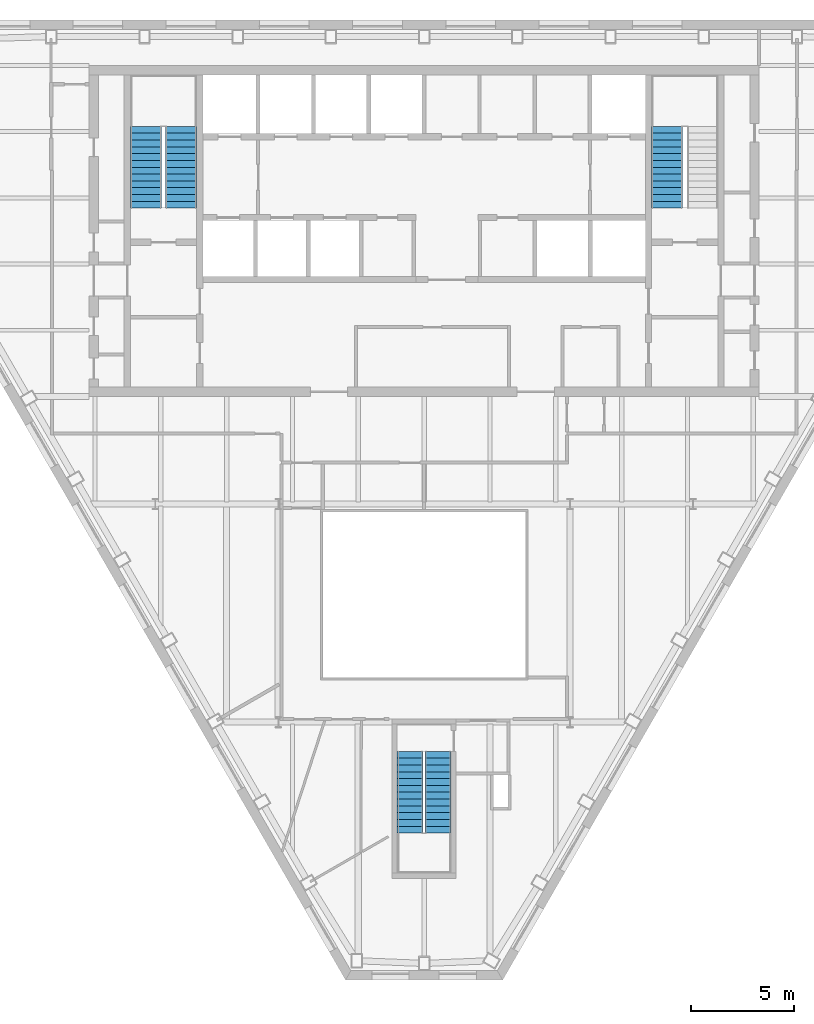
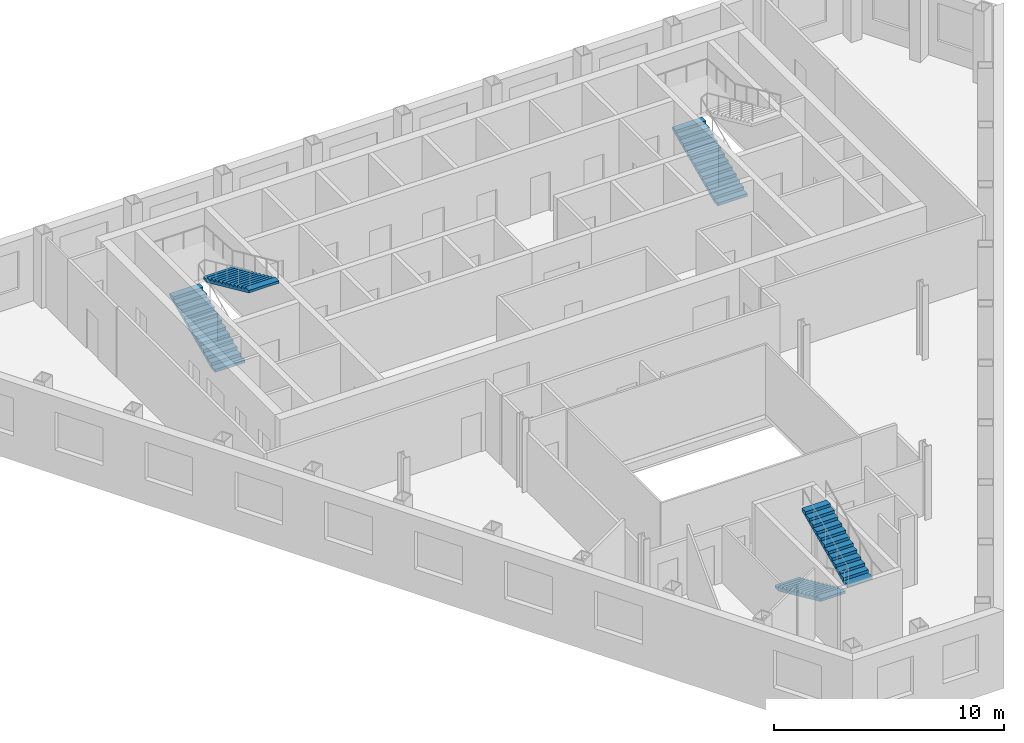
# One storey, part 8 of 10: 5 stair flights, 3 elements without a shape of their own.
"""IFC4 building model written with IfcOpenShell, lengths in metres."""

import ifcopenshell
import ifcopenshell.guid

model = None  # the IFC model being written
_history = None  # IfcOwnerHistory: only IFC2X3 demands one
_inside = {}  # id of a spatial element -> (the spatial element, [elements in it])
_under = {}  # id of a project, library or spatial element -> (it, [spatial elements below it])
_declared = {}  # id of a project -> (the project, [libraries it declares])
_typed = {}  # id of a type object -> (the type object, [elements of that type])
_made_of = {}  # id of a material, layer set ... -> (it, [elements and type objects made of it])


def new_model(schema):
    """Start an empty IFC model of exactly this schema.

    Asked for "IFC4X3", IfcOpenShell would pick the latest addendum, in which some entities
    have other attributes; the version numbers below select the first issue.
    IFC2X3 requires an IfcOwnerHistory on every rooted entity: one is made here for all.
    """
    global model, _history
    if schema == "IFC4X3":
        model = ifcopenshell.file(schema_version=(4, 3, 0, 0))
    else:
        model = ifcopenshell.file(schema=schema)
    _inside.clear()
    _under.clear()
    _declared.clear()
    _typed.clear()
    _made_of.clear()
    _history = None
    if model.schema == "IFC2X3":
        org = make("IfcOrganization", Name="unknown")
        user = make(
            "IfcPersonAndOrganization",
            ThePerson=make("IfcPerson", FamilyName="unknown"),
            TheOrganization=org,
        )
        app = make(
            "IfcApplication",
            ApplicationDeveloper=org,
            Version="unknown",
            ApplicationFullName="unknown",
            ApplicationIdentifier="unknown",
        )
        _history = make(
            "IfcOwnerHistory",
            OwningUser=user,
            OwningApplication=app,
            ChangeAction="ADDED",
            CreationDate=0,
        )
    return model


def make(cls, **values):
    """One entity of the class cls with the attributes given. An attribute that is None is left unset."""
    return model.create_entity(
        cls, **{name: value for name, value in values.items() if value is not None}
    )


def rooted(cls, **values):
    """An entity with a GlobalId (a new one), such as an element, a storey or a relation."""
    return make(cls, GlobalId=ifcopenshell.guid.new(), OwnerHistory=_history, **values)


def si_unit(unit_type, name, prefix=None):
    """IfcSIUnit, for example si_unit("LENGTHUNIT", "METRE", prefix="MILLI")."""
    return make("IfcSIUnit", UnitType=unit_type, Prefix=prefix, Name=name)


def assignment(units):
    """IfcUnitAssignment: the units of a project."""
    return None if units is None else make("IfcUnitAssignment", Units=units)


def point(xyz):
    """IfcCartesianPoint."""
    return None if xyz is None else make("IfcCartesianPoint", Coordinates=xyz)


def direction(xyz):
    """IfcDirection."""
    return None if xyz is None else make("IfcDirection", DirectionRatios=xyz)


def frame(location, z_axis=None, x_axis=None):
    """IfcAxis2Placement3D, a coordinate frame: its origin and axes. An axis left out is left unset."""
    return make(
        "IfcAxis2Placement3D",
        Location=point(location),
        Axis=direction(z_axis),
        RefDirection=direction(x_axis),
    )


def origin():
    """The frame at (0, 0, 0) with its axes left unset."""
    return frame((0.0, 0.0, 0.0))


def place(relative_to, where):
    """IfcLocalPlacement: puts the frame where relative to a parent placement (None: the world)."""
    return make(
        "IfcLocalPlacement", PlacementRelTo=relative_to, RelativePlacement=where
    )


def context(
    kind, dimensions, precision=None, world=None, true_north=None, identifier=None
):
    """IfcGeometricRepresentationContext, for example the 3D "Model" context."""
    return make(
        "IfcGeometricRepresentationContext",
        ContextIdentifier=identifier,
        ContextType=kind,
        CoordinateSpaceDimension=dimensions,
        Precision=precision,
        WorldCoordinateSystem=world,
        TrueNorth=true_north,
    )


def subcontext(parent, identifier, kind, view, scale=None):
    """IfcGeometricRepresentationSubContext, for example "Body" below "Model"."""
    return make(
        "IfcGeometricRepresentationSubContext",
        ContextIdentifier=identifier,
        ContextType=kind,
        ParentContext=parent,
        TargetScale=scale,
        TargetView=view,
    )


def project(units=None, contexts=None):
    """IfcProject with its units and contexts."""
    return rooted(
        "IfcProject",
        Name="project",
        RepresentationContexts=contexts,
        UnitsInContext=assignment(units),
    )


def spatial(cls, under=None, at=None, **own):
    """A site, building, storey or space (cls), placed at a placement, below another one or the project."""
    s = rooted(cls, ObjectPlacement=at, **own)
    if under is not None:
        _under.setdefault(under.id(), (under, []))[1].append(s)
    return s


def point_list(points):
    """IfcCartesianPointList2D or 3D."""
    cls = (
        "IfcCartesianPointList2D" if len(points[0]) == 2 else "IfcCartesianPointList3D"
    )
    return make(cls, CoordList=points)


def polygons(points, faces, closed=None, point_numbers=None):
    """IfcPolygonalFaceSet: a face is its outer loop, then its inner loops; points numbered from 1."""
    made = []
    for loops in faces:
        if len(loops) == 1:
            made.append(make("IfcIndexedPolygonalFace", CoordIndex=loops[0]))
        else:
            made.append(
                make(
                    "IfcIndexedPolygonalFaceWithVoids",
                    CoordIndex=loops[0],
                    InnerCoordIndices=loops[1:],
                )
            )
    return make(
        "IfcPolygonalFaceSet",
        Coordinates=point_list(points),
        Closed=closed,
        Faces=made,
        PnIndex=point_numbers,
    )


def shape(context_of_items, identifier, shape_type, items):
    """IfcShapeRepresentation: the items that make up one representation, for example the "Body"."""
    return make(
        "IfcShapeRepresentation",
        ContextOfItems=context_of_items,
        RepresentationIdentifier=identifier,
        RepresentationType=shape_type,
        Items=items,
    )


def material(Name=None, Category=None):
    """IfcMaterial."""
    return make("IfcMaterial", Name=Name, Category=Category)


def made_of(thing, what):
    """Note that an element or type object is made of a material, layer set ...; save() writes the relation."""
    if what is not None:
        _made_of.setdefault(what.id(), (what, []))[1].append(thing)
    return thing


def type_object(cls, material=None, **own):
    """A type object (cls), such as IfcWallType, which elements share."""
    return made_of(rooted(cls, **own), material)


def element(
    cls,
    number,
    at=None,
    inside=None,
    cuts=None,
    type_object=None,
    material=None,
    context=None,
    identifier="Body",
    shape_type=None,
    held_by="IfcProductDefinitionShape",
    body=None,
    shapes=None,
    **own,
):
    """One element of the class cls, such as IfcWall. Its Tag is "e" and its number.

    at: its placement. inside: the storey or other place that contains it. cuts: it is an
    opening in that element (IfcRelVoidsElement). A single representation is given by context,
    identifier, shape_type and body (its items); several are given by shapes. held_by: the class
    of the entity that holds the representations. save() writes the other relations.
    """
    e = rooted(cls, Tag="e%d" % number, ObjectPlacement=at, **own)
    if body is not None:
        shapes = [shape(context, identifier, shape_type, body)]
    if shapes is not None:
        e.Representation = make(held_by, Representations=shapes)
    if inside is not None:
        _inside.setdefault(inside.id(), (inside, []))[1].append(e)
    if cuts is not None:
        rooted(
            "IfcRelVoidsElement", RelatingBuildingElement=cuts, RelatedOpeningElement=e
        )
    if type_object is not None:
        _typed.setdefault(type_object.id(), (type_object, []))[1].append(e)
    return made_of(e, material)


def aggregate(whole, parts):
    """IfcRelAggregates: a whole, such as a stair, and the parts it consists of."""
    return rooted("IfcRelAggregates", RelatingObject=whole, RelatedObjects=parts)


def save(model, path):
    """Write the relations noted so far, then the file.

    IfcRelAggregates (storeys below a building ...), IfcRelContainedInSpatialStructure (elements
    in a storey), IfcRelDefinesByType, IfcRelAssociatesMaterial and IfcRelDeclares: one each for
    every whole, place, type object, material and project.
    """
    for whole, parts in _under.values():
        aggregate(whole, parts)
    for where, things in _inside.values():
        rooted(
            "IfcRelContainedInSpatialStructure",
            RelatedElements=things,
            RelatingStructure=where,
        )
    for kind, things in _typed.values():
        rooted("IfcRelDefinesByType", RelatedObjects=things, RelatingType=kind)
    for what, things in _made_of.values():
        rooted("IfcRelAssociatesMaterial", RelatedObjects=things, RelatingMaterial=what)
    for by, libraries in _declared.values():
        rooted("IfcRelDeclares", RelatingContext=by, RelatedDefinitions=libraries)
    model.write(path)


model = new_model("IFC4")

# Units and contexts
model_context = context("Model", 3, precision=1e-05, world=origin(), true_north=direction((0.0, 1.0)))
body_context = subcontext(model_context, "Body", "Model", "MODEL_VIEW")
ifc_project = project(units=[si_unit("LENGTHUNIT", "METRE"), si_unit("AREAUNIT", "SQUARE_METRE"), si_unit("VOLUMEUNIT", "CUBIC_METRE"), si_unit("PLANEANGLEUNIT", "RADIAN"), si_unit("MASSUNIT", "GRAM", prefix="KILO")], contexts=[model_context])

# Site, building, storey
site_placement = place(None, origin())
site = spatial("IfcSite", under=ifc_project, at=site_placement, CompositionType="ELEMENT")
building_placement = place(site_placement, origin())
building = spatial("IfcBuilding", under=site, at=building_placement, Name="Njiva Tower", CompositionType="ELEMENT")
storey_placement = place(building_placement, frame((0.0, 0.0, 200.4)))
storey = spatial("IfcBuildingStorey", under=building, at=storey_placement, Name="L44", CompositionType="ELEMENT", Elevation=200.4)

# Stair, stair flights
ifc_material = material(Name="Concrete C40/50", Category="concrete")
stair_type_1 = type_object("IfcStairType", Name="ST1 Exit stair 1250", PredefinedType="HALF_TURN_STAIR", material=ifc_material)
stair_1_placement = place(storey_placement, origin())
stair_1 = element("IfcStair", 1, at=stair_1_placement, inside=storey, type_object=stair_type_1, Name="Stair C", PredefinedType="HALF_TURN_STAIR")
stair_flight_type_1 = type_object("IfcStairFlightType", Name="FL1 Stair flight 1250", PredefinedType="STRAIGHT", material=ifc_material)
stair_flight_1_placement = place(storey_placement, frame((-0.675, -15.16, 0.0), z_axis=(0.0, 0.0, 1.0), x_axis=(0.0, -1.0, 0.0)))
stair_flight_1 = element("IfcStairFlight", 2, at=stair_flight_1_placement, type_object=stair_flight_type_1, Name="ST-C flight 1", NumberOfRisers=13, NumberOfTreads=12, PredefinedType="STRAIGHT", RiserHeight=0.15, TreadLength=0.33, context=body_context, shape_type="Tessellation", body=[
    polygons([(0.0, 0.625, 0.0), (0.0, 0.3125, 0.0), (0.0, 0.0, 0.0), (0.0, -0.3125, 0.0), (0.0, -0.625, 0.0), (0.0, 0.625, 0.15), (0.0, 0.3125, 0.15), (0.0, 0.0, 0.15), (0.0, -0.3125, 0.15), (0.0, -0.625, 0.15), (0.33, 0.625, 0.15), (0.33, 0.3125, 0.15), (0.33, 0.0, 0.15), (0.33, -0.3125, 0.15), (0.33, -0.625, 0.15), (0.33, 0.625, 0.3), (0.33, 0.3125, 0.3), (0.33, 0.0, 0.3), (0.33, -0.3125, 0.3), (0.33, -0.625, 0.3), (0.66, 0.625, 0.3), (0.66, 0.3125, 0.3), (0.66, 0.0, 0.3), (0.66, -0.3125, 0.3), (0.66, -0.625, 0.3), (0.66, 0.625, 0.45), (0.66, 0.3125, 0.45), (0.66, 0.0, 0.45), (0.66, -0.3125, 0.45), (0.66, -0.625, 0.45), (0.99, 0.625, 0.45), (0.99, 0.3125, 0.45), (0.99, 0.0, 0.45), (0.99, -0.3125, 0.45), (0.99, -0.625, 0.45), (0.99, 0.625, 0.6), (0.99, 0.3125, 0.6), (0.99, 0.0, 0.6), (0.99, -0.3125, 0.6), (0.99, -0.625, 0.6), (1.32, 0.625, 0.6), (1.32, 0.3125, 0.6), (1.32, 0.0, 0.6), (1.32, -0.3125, 0.6), (1.32, -0.625, 0.6), (1.32, 0.625, 0.75), (1.32, 0.3125, 0.75), (1.32, 0.0, 0.75), (1.32, -0.3125, 0.75), (1.32, -0.625, 0.75), (1.65, 0.625, 0.75), (1.65, 0.3125, 0.75), (1.65, 0.0, 0.75), (1.65, -0.3125, 0.75), (1.65, -0.625, 0.75), (1.65, 0.625, 0.9), (1.65, 0.3125, 0.9), (1.65, 0.0, 0.9), (1.65, -0.3125, 0.9), (1.65, -0.625, 0.9), (1.98, 0.625, 0.9), (1.98, 0.3125, 0.9), (1.98, 0.0, 0.9), (1.98, -0.3125, 0.9), (1.98, -0.625, 0.9), (1.98, 0.625, 1.05), (1.98, 0.3125, 1.05), (1.98, 0.0, 1.05), (1.98, -0.3125, 1.05), (1.98, -0.625, 1.05), (2.31, 0.625, 1.05), (2.31, 0.3125, 1.05), (2.31, 0.0, 1.05), (2.31, -0.3125, 1.05), (2.31, -0.625, 1.05), (2.31, 0.625, 1.2), (2.31, 0.3125, 1.2), (2.31, 0.0, 1.2), (2.31, -0.3125, 1.2), (2.31, -0.625, 1.2), (2.64, 0.625, 1.2), (2.64, 0.3125, 1.2), (2.64, 0.0, 1.2), (2.64, -0.3125, 1.2), (2.64, -0.625, 1.2), (2.64, 0.625, 1.35), (2.64, 0.3125, 1.35), (2.64, 0.0, 1.35), (2.64, -0.3125, 1.35), (2.64, -0.625, 1.35), (2.97, 0.625, 1.35), (2.97, 0.3125, 1.35), (2.97, 0.0, 1.35), (2.97, -0.3125, 1.35), (2.97, -0.625, 1.35), (2.97, 0.625, 1.5), (2.97, 0.3125, 1.5), (2.97, 0.0, 1.5), (2.97, -0.3125, 1.5), (2.97, -0.625, 1.5), (3.3, 0.625, 1.5), (3.3, 0.3125, 1.5), (3.3, 0.0, 1.5), (3.3, -0.3125, 1.5), (3.3, -0.625, 1.5), (3.3, 0.625, 1.65), (3.3, 0.3125, 1.65), (3.3, 0.0, 1.65), (3.3, -0.3125, 1.65), (3.3, -0.625, 1.65), (3.63, 0.625, 1.65), (3.63, 0.3125, 1.65), (3.63, 0.0, 1.65), (3.63, -0.3125, 1.65), (3.63, -0.625, 1.65), (3.63, 0.625, 1.8), (3.63, 0.3125, 1.8), (3.63, 0.0, 1.8), (3.63, -0.3125, 1.8), (3.63, -0.625, 1.8), (3.96, 0.625, 1.8), (3.96, 0.3125, 1.8), (3.96, 0.0, 1.8), (3.96, -0.3125, 1.8), (3.96, -0.625, 1.8), (3.96, 0.625, 1.6682), (3.96, 0.3125, 1.6682), (3.96, 0.0, 1.6682), (3.96, -0.3125, 1.6682), (3.96, -0.625, 1.6682), (0.29, 0.625, 0.0), (0.29, 0.3125, 0.0), (0.29, 0.0, 0.0), (0.29, -0.3125, 0.0), (0.29, -0.625, 0.0)], [[[1, 6, 11, 16, 21, 26, 31, 36, 41, 46, 51, 56, 61, 66, 71, 76, 81, 86, 91, 96, 101, 106, 111, 116, 121, 126, 131]], [[135, 130, 125, 120, 115, 110, 105, 100, 95, 90, 85, 80, 75, 70, 65, 60, 55, 50, 45, 40, 35, 30, 25, 20, 15, 10, 5]], [[6, 1, 2, 7]], [[7, 2, 3, 8]], [[8, 3, 4, 9]], [[9, 4, 5, 10]], [[11, 6, 7, 12]], [[12, 7, 8, 13]], [[13, 8, 9, 14]], [[14, 9, 10, 15]], [[16, 11, 12, 17]], [[17, 12, 13, 18]], [[18, 13, 14, 19]], [[19, 14, 15, 20]], [[21, 16, 17, 22]], [[22, 17, 18, 23]], [[23, 18, 19, 24]], [[24, 19, 20, 25]], [[26, 21, 22, 27]], [[27, 22, 23, 28]], [[28, 23, 24, 29]], [[29, 24, 25, 30]], [[31, 26, 27, 32]], [[32, 27, 28, 33]], [[33, 28, 29, 34]], [[34, 29, 30, 35]], [[36, 31, 32, 37]], [[37, 32, 33, 38]], [[38, 33, 34, 39]], [[39, 34, 35, 40]], [[41, 36, 37, 42]], [[42, 37, 38, 43]], [[43, 38, 39, 44]], [[44, 39, 40, 45]], [[46, 41, 42, 47]], [[47, 42, 43, 48]], [[48, 43, 44, 49]], [[49, 44, 45, 50]], [[51, 46, 47, 52]], [[52, 47, 48, 53]], [[53, 48, 49, 54]], [[54, 49, 50, 55]], [[56, 51, 52, 57]], [[57, 52, 53, 58]], [[58, 53, 54, 59]], [[59, 54, 55, 60]], [[61, 56, 57, 62]], [[62, 57, 58, 63]], [[63, 58, 59, 64]], [[64, 59, 60, 65]], [[66, 61, 62, 67]], [[67, 62, 63, 68]], [[68, 63, 64, 69]], [[69, 64, 65, 70]], [[71, 66, 67, 72]], [[72, 67, 68, 73]], [[73, 68, 69, 74]], [[74, 69, 70, 75]], [[76, 71, 72, 77]], [[77, 72, 73, 78]], [[78, 73, 74, 79]], [[79, 74, 75, 80]], [[81, 76, 77, 82]], [[82, 77, 78, 83]], [[83, 78, 79, 84]], [[84, 79, 80, 85]], [[86, 81, 82, 87]], [[87, 82, 83, 88]], [[88, 83, 84, 89]], [[89, 84, 85, 90]], [[91, 86, 87, 92]], [[92, 87, 88, 93]], [[93, 88, 89, 94]], [[94, 89, 90, 95]], [[96, 91, 92, 97]], [[97, 92, 93, 98]], [[98, 93, 94, 99]], [[99, 94, 95, 100]], [[101, 96, 97, 102]], [[102, 97, 98, 103]], [[103, 98, 99, 104]], [[104, 99, 100, 105]], [[106, 101, 102, 107]], [[107, 102, 103, 108]], [[108, 103, 104, 109]], [[109, 104, 105, 110]], [[111, 106, 107, 112]], [[112, 107, 108, 113]], [[113, 108, 109, 114]], [[114, 109, 110, 115]], [[116, 111, 112, 117]], [[117, 112, 113, 118]], [[118, 113, 114, 119]], [[119, 114, 115, 120]], [[121, 116, 117, 122]], [[122, 117, 118, 123]], [[123, 118, 119, 124]], [[124, 119, 120, 125]], [[126, 121, 122, 127]], [[127, 122, 123, 128]], [[128, 123, 124, 129]], [[129, 124, 125, 130]], [[131, 126, 127, 132]], [[132, 127, 128, 133]], [[133, 128, 129, 134]], [[134, 129, 130, 135]], [[1, 131, 132, 2]], [[2, 132, 133, 3]], [[3, 133, 134, 4]], [[4, 134, 135, 5]]], closed=True),
])
stair_flight_2_placement = place(storey_placement, frame((0.675, -19.12, 1.95), z_axis=(0.0, 0.0, 1.0), x_axis=(0.0, 1.0, 0.0)))
stair_flight_2 = element("IfcStairFlight", 3, at=stair_flight_2_placement, type_object=stair_flight_type_1, Name="ST-C flight 2", NumberOfRisers=13, NumberOfTreads=12, PredefinedType="STRAIGHT", RiserHeight=0.15, TreadLength=0.33, context=body_context, shape_type="Tessellation", body=[
    polygons([(0.0, 0.625, 0.0), (0.0, 0.3125, 0.0), (0.0, 0.0, 0.0), (0.0, -0.3125, 0.0), (0.0, -0.625, 0.0), (0.0, 0.625, 0.15), (0.0, 0.3125, 0.15), (0.0, 0.0, 0.15), (0.0, -0.3125, 0.15), (0.0, -0.625, 0.15), (0.33, 0.625, 0.15), (0.33, 0.3125, 0.15), (0.33, 0.0, 0.15), (0.33, -0.3125, 0.15), (0.33, -0.625, 0.15), (0.33, 0.625, 0.3), (0.33, 0.3125, 0.3), (0.33, 0.0, 0.3), (0.33, -0.3125, 0.3), (0.33, -0.625, 0.3), (0.66, 0.625, 0.3), (0.66, 0.3125, 0.3), (0.66, 0.0, 0.3), (0.66, -0.3125, 0.3), (0.66, -0.625, 0.3), (0.66, 0.625, 0.45), (0.66, 0.3125, 0.45), (0.66, 0.0, 0.45), (0.66, -0.3125, 0.45), (0.66, -0.625, 0.45), (0.99, 0.625, 0.45), (0.99, 0.3125, 0.45), (0.99, 0.0, 0.45), (0.99, -0.3125, 0.45), (0.99, -0.625, 0.45), (0.99, 0.625, 0.6), (0.99, 0.3125, 0.6), (0.99, 0.0, 0.6), (0.99, -0.3125, 0.6), (0.99, -0.625, 0.6), (1.32, 0.625, 0.6), (1.32, 0.3125, 0.6), (1.32, 0.0, 0.6), (1.32, -0.3125, 0.6), (1.32, -0.625, 0.6), (1.32, 0.625, 0.75), (1.32, 0.3125, 0.75), (1.32, 0.0, 0.75), (1.32, -0.3125, 0.75), (1.32, -0.625, 0.75), (1.65, 0.625, 0.75), (1.65, 0.3125, 0.75), (1.65, 0.0, 0.75), (1.65, -0.3125, 0.75), (1.65, -0.625, 0.75), (1.65, 0.625, 0.9), (1.65, 0.3125, 0.9), (1.65, 0.0, 0.9), (1.65, -0.3125, 0.9), (1.65, -0.625, 0.9), (1.98, 0.625, 0.9), (1.98, 0.3125, 0.9), (1.98, 0.0, 0.9), (1.98, -0.3125, 0.9), (1.98, -0.625, 0.9), (1.98, 0.625, 1.05), (1.98, 0.3125, 1.05), (1.98, 0.0, 1.05), (1.98, -0.3125, 1.05), (1.98, -0.625, 1.05), (2.31, 0.625, 1.05), (2.31, 0.3125, 1.05), (2.31, 0.0, 1.05), (2.31, -0.3125, 1.05), (2.31, -0.625, 1.05), (2.31, 0.625, 1.2), (2.31, 0.3125, 1.2), (2.31, 0.0, 1.2), (2.31, -0.3125, 1.2), (2.31, -0.625, 1.2), (2.64, 0.625, 1.2), (2.64, 0.3125, 1.2), (2.64, 0.0, 1.2), (2.64, -0.3125, 1.2), (2.64, -0.625, 1.2), (2.64, 0.625, 1.35), (2.64, 0.3125, 1.35), (2.64, 0.0, 1.35), (2.64, -0.3125, 1.35), (2.64, -0.625, 1.35), (2.97, 0.625, 1.35), (2.97, 0.3125, 1.35), (2.97, 0.0, 1.35), (2.97, -0.3125, 1.35), (2.97, -0.625, 1.35), (2.97, 0.625, 1.5), (2.97, 0.3125, 1.5), (2.97, 0.0, 1.5), (2.97, -0.3125, 1.5), (2.97, -0.625, 1.5), (3.3, 0.625, 1.5), (3.3, 0.3125, 1.5), (3.3, 0.0, 1.5), (3.3, -0.3125, 1.5), (3.3, -0.625, 1.5), (3.3, 0.625, 1.65), (3.3, 0.3125, 1.65), (3.3, 0.0, 1.65), (3.3, -0.3125, 1.65), (3.3, -0.625, 1.65), (3.63, 0.625, 1.65), (3.63, 0.3125, 1.65), (3.63, 0.0, 1.65), (3.63, -0.3125, 1.65), (3.63, -0.625, 1.65), (3.63, 0.625, 1.8), (3.63, 0.3125, 1.8), (3.63, 0.0, 1.8), (3.63, -0.3125, 1.8), (3.63, -0.625, 1.8), (3.96, 0.625, 1.8), (3.96, 0.3125, 1.8), (3.96, 0.0, 1.8), (3.96, -0.3125, 1.8), (3.96, -0.625, 1.8), (3.96, 0.625, 1.6682), (3.96, 0.3125, 1.6682), (3.96, 0.0, 1.6682), (3.96, -0.3125, 1.6682), (3.96, -0.625, 1.6682), (0.29, 0.625, 0.0), (0.29, 0.3125, 0.0), (0.29, 0.0, 0.0), (0.29, -0.3125, 0.0), (0.29, -0.625, 0.0)], [[[1, 6, 11, 16, 21, 26, 31, 36, 41, 46, 51, 56, 61, 66, 71, 76, 81, 86, 91, 96, 101, 106, 111, 116, 121, 126, 131]], [[135, 130, 125, 120, 115, 110, 105, 100, 95, 90, 85, 80, 75, 70, 65, 60, 55, 50, 45, 40, 35, 30, 25, 20, 15, 10, 5]], [[6, 1, 2, 7]], [[7, 2, 3, 8]], [[8, 3, 4, 9]], [[9, 4, 5, 10]], [[11, 6, 7, 12]], [[12, 7, 8, 13]], [[13, 8, 9, 14]], [[14, 9, 10, 15]], [[16, 11, 12, 17]], [[17, 12, 13, 18]], [[18, 13, 14, 19]], [[19, 14, 15, 20]], [[21, 16, 17, 22]], [[22, 17, 18, 23]], [[23, 18, 19, 24]], [[24, 19, 20, 25]], [[26, 21, 22, 27]], [[27, 22, 23, 28]], [[28, 23, 24, 29]], [[29, 24, 25, 30]], [[31, 26, 27, 32]], [[32, 27, 28, 33]], [[33, 28, 29, 34]], [[34, 29, 30, 35]], [[36, 31, 32, 37]], [[37, 32, 33, 38]], [[38, 33, 34, 39]], [[39, 34, 35, 40]], [[41, 36, 37, 42]], [[42, 37, 38, 43]], [[43, 38, 39, 44]], [[44, 39, 40, 45]], [[46, 41, 42, 47]], [[47, 42, 43, 48]], [[48, 43, 44, 49]], [[49, 44, 45, 50]], [[51, 46, 47, 52]], [[52, 47, 48, 53]], [[53, 48, 49, 54]], [[54, 49, 50, 55]], [[56, 51, 52, 57]], [[57, 52, 53, 58]], [[58, 53, 54, 59]], [[59, 54, 55, 60]], [[61, 56, 57, 62]], [[62, 57, 58, 63]], [[63, 58, 59, 64]], [[64, 59, 60, 65]], [[66, 61, 62, 67]], [[67, 62, 63, 68]], [[68, 63, 64, 69]], [[69, 64, 65, 70]], [[71, 66, 67, 72]], [[72, 67, 68, 73]], [[73, 68, 69, 74]], [[74, 69, 70, 75]], [[76, 71, 72, 77]], [[77, 72, 73, 78]], [[78, 73, 74, 79]], [[79, 74, 75, 80]], [[81, 76, 77, 82]], [[82, 77, 78, 83]], [[83, 78, 79, 84]], [[84, 79, 80, 85]], [[86, 81, 82, 87]], [[87, 82, 83, 88]], [[88, 83, 84, 89]], [[89, 84, 85, 90]], [[91, 86, 87, 92]], [[92, 87, 88, 93]], [[93, 88, 89, 94]], [[94, 89, 90, 95]], [[96, 91, 92, 97]], [[97, 92, 93, 98]], [[98, 93, 94, 99]], [[99, 94, 95, 100]], [[101, 96, 97, 102]], [[102, 97, 98, 103]], [[103, 98, 99, 104]], [[104, 99, 100, 105]], [[106, 101, 102, 107]], [[107, 102, 103, 108]], [[108, 103, 104, 109]], [[109, 104, 105, 110]], [[111, 106, 107, 112]], [[112, 107, 108, 113]], [[113, 108, 109, 114]], [[114, 109, 110, 115]], [[116, 111, 112, 117]], [[117, 112, 113, 118]], [[118, 113, 114, 119]], [[119, 114, 115, 120]], [[121, 116, 117, 122]], [[122, 117, 118, 123]], [[123, 118, 119, 124]], [[124, 119, 120, 125]], [[126, 121, 122, 127]], [[127, 122, 123, 128]], [[128, 123, 124, 129]], [[129, 124, 125, 130]], [[131, 126, 127, 132]], [[132, 127, 128, 133]], [[133, 128, 129, 134]], [[134, 129, 130, 135]], [[1, 131, 132, 2]], [[2, 132, 133, 3]], [[3, 133, 134, 4]], [[4, 134, 135, 5]]], closed=True),
])
aggregate(stair_1, [stair_flight_1, stair_flight_2])

stair_type_2 = type_object("IfcStairType", Name="ST4 Exit stair 1500", PredefinedType="HALF_TURN_STAIR", material=ifc_material)
stair_2_placement = place(storey_placement, origin())
stair_2 = element("IfcStair", 4, at=stair_2_placement, inside=storey, type_object=stair_type_2, Name="Stair A", PredefinedType="HALF_TURN_STAIR")
stair_flight_type_2 = type_object("IfcStairFlightType", Name="FL4 Stair flight 1500", PredefinedType="STRAIGHT", material=ifc_material)
stair_flight_3_placement = place(storey_placement, frame((-13.45, 11.1, 0.0), z_axis=(0.0, 0.0, 1.0), x_axis=(0.0, 1.0, 0.0)))
stair_flight_3 = element("IfcStairFlight", 5, at=stair_flight_3_placement, type_object=stair_flight_type_2, Name="ST-A flight 1", NumberOfRisers=13, NumberOfTreads=12, PredefinedType="STRAIGHT", RiserHeight=0.15, TreadLength=0.33, context=body_context, shape_type="Tessellation", body=[
    polygons([(0.0, 0.75, 0.0), (0.0, 0.375, 0.0), (0.0, 0.0, 0.0), (0.0, -0.375, 0.0), (0.0, -0.75, 0.0), (0.0, 0.75, 0.15), (0.0, 0.375, 0.15), (0.0, 0.0, 0.15), (0.0, -0.375, 0.15), (0.0, -0.75, 0.15), (0.33, 0.75, 0.15), (0.33, 0.375, 0.15), (0.33, 0.0, 0.15), (0.33, -0.375, 0.15), (0.33, -0.75, 0.15), (0.33, 0.75, 0.3), (0.33, 0.375, 0.3), (0.33, 0.0, 0.3), (0.33, -0.375, 0.3), (0.33, -0.75, 0.3), (0.66, 0.75, 0.3), (0.66, 0.375, 0.3), (0.66, 0.0, 0.3), (0.66, -0.375, 0.3), (0.66, -0.75, 0.3), (0.66, 0.75, 0.45), (0.66, 0.375, 0.45), (0.66, 0.0, 0.45), (0.66, -0.375, 0.45), (0.66, -0.75, 0.45), (0.99, 0.75, 0.45), (0.99, 0.375, 0.45), (0.99, 0.0, 0.45), (0.99, -0.375, 0.45), (0.99, -0.75, 0.45), (0.99, 0.75, 0.6), (0.99, 0.375, 0.6), (0.99, 0.0, 0.6), (0.99, -0.375, 0.6), (0.99, -0.75, 0.6), (1.32, 0.75, 0.6), (1.32, 0.375, 0.6), (1.32, 0.0, 0.6), (1.32, -0.375, 0.6), (1.32, -0.75, 0.6), (1.32, 0.75, 0.75), (1.32, 0.375, 0.75), (1.32, 0.0, 0.75), (1.32, -0.375, 0.75), (1.32, -0.75, 0.75), (1.65, 0.75, 0.75), (1.65, 0.375, 0.75), (1.65, 0.0, 0.75), (1.65, -0.375, 0.75), (1.65, -0.75, 0.75), (1.65, 0.75, 0.9), (1.65, 0.375, 0.9), (1.65, 0.0, 0.9), (1.65, -0.375, 0.9), (1.65, -0.75, 0.9), (1.98, 0.75, 0.9), (1.98, 0.375, 0.9), (1.98, 0.0, 0.9), (1.98, -0.375, 0.9), (1.98, -0.75, 0.9), (1.98, 0.75, 1.05), (1.98, 0.375, 1.05), (1.98, 0.0, 1.05), (1.98, -0.375, 1.05), (1.98, -0.75, 1.05), (2.31, 0.75, 1.05), (2.31, 0.375, 1.05), (2.31, 0.0, 1.05), (2.31, -0.375, 1.05), (2.31, -0.75, 1.05), (2.31, 0.75, 1.2), (2.31, 0.375, 1.2), (2.31, 0.0, 1.2), (2.31, -0.375, 1.2), (2.31, -0.75, 1.2), (2.64, 0.75, 1.2), (2.64, 0.375, 1.2), (2.64, 0.0, 1.2), (2.64, -0.375, 1.2), (2.64, -0.75, 1.2), (2.64, 0.75, 1.35), (2.64, 0.375, 1.35), (2.64, 0.0, 1.35), (2.64, -0.375, 1.35), (2.64, -0.75, 1.35), (2.97, 0.75, 1.35), (2.97, 0.375, 1.35), (2.97, 0.0, 1.35), (2.97, -0.375, 1.35), (2.97, -0.75, 1.35), (2.97, 0.75, 1.5), (2.97, 0.375, 1.5), (2.97, 0.0, 1.5), (2.97, -0.375, 1.5), (2.97, -0.75, 1.5), (3.3, 0.75, 1.5), (3.3, 0.375, 1.5), (3.3, 0.0, 1.5), (3.3, -0.375, 1.5), (3.3, -0.75, 1.5), (3.3, 0.75, 1.65), (3.3, 0.375, 1.65), (3.3, 0.0, 1.65), (3.3, -0.375, 1.65), (3.3, -0.75, 1.65), (3.63, 0.75, 1.65), (3.63, 0.375, 1.65), (3.63, 0.0, 1.65), (3.63, -0.375, 1.65), (3.63, -0.75, 1.65), (3.63, 0.75, 1.8), (3.63, 0.375, 1.8), (3.63, 0.0, 1.8), (3.63, -0.375, 1.8), (3.63, -0.75, 1.8), (3.96, 0.75, 1.8), (3.96, 0.375, 1.8), (3.96, 0.0, 1.8), (3.96, -0.375, 1.8), (3.96, -0.75, 1.8), (3.96, 0.75, 1.6682), (3.96, 0.375, 1.6682), (3.96, 0.0, 1.6682), (3.96, -0.375, 1.6682), (3.96, -0.75, 1.6682), (0.29, 0.75, 0.0), (0.29, 0.375, 0.0), (0.29, 0.0, 0.0), (0.29, -0.375, 0.0), (0.29, -0.75, 0.0)], [[[1, 6, 11, 16, 21, 26, 31, 36, 41, 46, 51, 56, 61, 66, 71, 76, 81, 86, 91, 96, 101, 106, 111, 116, 121, 126, 131]], [[135, 130, 125, 120, 115, 110, 105, 100, 95, 90, 85, 80, 75, 70, 65, 60, 55, 50, 45, 40, 35, 30, 25, 20, 15, 10, 5]], [[6, 1, 2, 7]], [[7, 2, 3, 8]], [[8, 3, 4, 9]], [[9, 4, 5, 10]], [[11, 6, 7, 12]], [[12, 7, 8, 13]], [[13, 8, 9, 14]], [[14, 9, 10, 15]], [[16, 11, 12, 17]], [[17, 12, 13, 18]], [[18, 13, 14, 19]], [[19, 14, 15, 20]], [[21, 16, 17, 22]], [[22, 17, 18, 23]], [[23, 18, 19, 24]], [[24, 19, 20, 25]], [[26, 21, 22, 27]], [[27, 22, 23, 28]], [[28, 23, 24, 29]], [[29, 24, 25, 30]], [[31, 26, 27, 32]], [[32, 27, 28, 33]], [[33, 28, 29, 34]], [[34, 29, 30, 35]], [[36, 31, 32, 37]], [[37, 32, 33, 38]], [[38, 33, 34, 39]], [[39, 34, 35, 40]], [[41, 36, 37, 42]], [[42, 37, 38, 43]], [[43, 38, 39, 44]], [[44, 39, 40, 45]], [[46, 41, 42, 47]], [[47, 42, 43, 48]], [[48, 43, 44, 49]], [[49, 44, 45, 50]], [[51, 46, 47, 52]], [[52, 47, 48, 53]], [[53, 48, 49, 54]], [[54, 49, 50, 55]], [[56, 51, 52, 57]], [[57, 52, 53, 58]], [[58, 53, 54, 59]], [[59, 54, 55, 60]], [[61, 56, 57, 62]], [[62, 57, 58, 63]], [[63, 58, 59, 64]], [[64, 59, 60, 65]], [[66, 61, 62, 67]], [[67, 62, 63, 68]], [[68, 63, 64, 69]], [[69, 64, 65, 70]], [[71, 66, 67, 72]], [[72, 67, 68, 73]], [[73, 68, 69, 74]], [[74, 69, 70, 75]], [[76, 71, 72, 77]], [[77, 72, 73, 78]], [[78, 73, 74, 79]], [[79, 74, 75, 80]], [[81, 76, 77, 82]], [[82, 77, 78, 83]], [[83, 78, 79, 84]], [[84, 79, 80, 85]], [[86, 81, 82, 87]], [[87, 82, 83, 88]], [[88, 83, 84, 89]], [[89, 84, 85, 90]], [[91, 86, 87, 92]], [[92, 87, 88, 93]], [[93, 88, 89, 94]], [[94, 89, 90, 95]], [[96, 91, 92, 97]], [[97, 92, 93, 98]], [[98, 93, 94, 99]], [[99, 94, 95, 100]], [[101, 96, 97, 102]], [[102, 97, 98, 103]], [[103, 98, 99, 104]], [[104, 99, 100, 105]], [[106, 101, 102, 107]], [[107, 102, 103, 108]], [[108, 103, 104, 109]], [[109, 104, 105, 110]], [[111, 106, 107, 112]], [[112, 107, 108, 113]], [[113, 108, 109, 114]], [[114, 109, 110, 115]], [[116, 111, 112, 117]], [[117, 112, 113, 118]], [[118, 113, 114, 119]], [[119, 114, 115, 120]], [[121, 116, 117, 122]], [[122, 117, 118, 123]], [[123, 118, 119, 124]], [[124, 119, 120, 125]], [[126, 121, 122, 127]], [[127, 122, 123, 128]], [[128, 123, 124, 129]], [[129, 124, 125, 130]], [[131, 126, 127, 132]], [[132, 127, 128, 133]], [[133, 128, 129, 134]], [[134, 129, 130, 135]], [[1, 131, 132, 2]], [[2, 132, 133, 3]], [[3, 133, 134, 4]], [[4, 134, 135, 5]]], closed=True),
])
stair_flight_4_placement = place(storey_placement, frame((-11.75, 15.06, 1.95), z_axis=(0.0, 0.0, 1.0), x_axis=(0.0, -1.0, 0.0)))
stair_flight_4 = element("IfcStairFlight", 6, at=stair_flight_4_placement, type_object=stair_flight_type_2, Name="ST-A flight 2", NumberOfRisers=13, NumberOfTreads=12, PredefinedType="STRAIGHT", RiserHeight=0.15, TreadLength=0.33, context=body_context, shape_type="Tessellation", body=[
    polygons([(0.0, 0.75, 0.0), (0.0, 0.375, 0.0), (0.0, 0.0, 0.0), (0.0, -0.375, 0.0), (0.0, -0.75, 0.0), (0.0, 0.75, 0.15), (0.0, 0.375, 0.15), (0.0, 0.0, 0.15), (0.0, -0.375, 0.15), (0.0, -0.75, 0.15), (0.33, 0.75, 0.15), (0.33, 0.375, 0.15), (0.33, 0.0, 0.15), (0.33, -0.375, 0.15), (0.33, -0.75, 0.15), (0.33, 0.75, 0.3), (0.33, 0.375, 0.3), (0.33, 0.0, 0.3), (0.33, -0.375, 0.3), (0.33, -0.75, 0.3), (0.66, 0.75, 0.3), (0.66, 0.375, 0.3), (0.66, 0.0, 0.3), (0.66, -0.375, 0.3), (0.66, -0.75, 0.3), (0.66, 0.75, 0.45), (0.66, 0.375, 0.45), (0.66, 0.0, 0.45), (0.66, -0.375, 0.45), (0.66, -0.75, 0.45), (0.99, 0.75, 0.45), (0.99, 0.375, 0.45), (0.99, 0.0, 0.45), (0.99, -0.375, 0.45), (0.99, -0.75, 0.45), (0.99, 0.75, 0.6), (0.99, 0.375, 0.6), (0.99, 0.0, 0.6), (0.99, -0.375, 0.6), (0.99, -0.75, 0.6), (1.32, 0.75, 0.6), (1.32, 0.375, 0.6), (1.32, 0.0, 0.6), (1.32, -0.375, 0.6), (1.32, -0.75, 0.6), (1.32, 0.75, 0.75), (1.32, 0.375, 0.75), (1.32, 0.0, 0.75), (1.32, -0.375, 0.75), (1.32, -0.75, 0.75), (1.65, 0.75, 0.75), (1.65, 0.375, 0.75), (1.65, 0.0, 0.75), (1.65, -0.375, 0.75), (1.65, -0.75, 0.75), (1.65, 0.75, 0.9), (1.65, 0.375, 0.9), (1.65, 0.0, 0.9), (1.65, -0.375, 0.9), (1.65, -0.75, 0.9), (1.98, 0.75, 0.9), (1.98, 0.375, 0.9), (1.98, 0.0, 0.9), (1.98, -0.375, 0.9), (1.98, -0.75, 0.9), (1.98, 0.75, 1.05), (1.98, 0.375, 1.05), (1.98, 0.0, 1.05), (1.98, -0.375, 1.05), (1.98, -0.75, 1.05), (2.31, 0.75, 1.05), (2.31, 0.375, 1.05), (2.31, 0.0, 1.05), (2.31, -0.375, 1.05), (2.31, -0.75, 1.05), (2.31, 0.75, 1.2), (2.31, 0.375, 1.2), (2.31, 0.0, 1.2), (2.31, -0.375, 1.2), (2.31, -0.75, 1.2), (2.64, 0.75, 1.2), (2.64, 0.375, 1.2), (2.64, 0.0, 1.2), (2.64, -0.375, 1.2), (2.64, -0.75, 1.2), (2.64, 0.75, 1.35), (2.64, 0.375, 1.35), (2.64, 0.0, 1.35), (2.64, -0.375, 1.35), (2.64, -0.75, 1.35), (2.97, 0.75, 1.35), (2.97, 0.375, 1.35), (2.97, 0.0, 1.35), (2.97, -0.375, 1.35), (2.97, -0.75, 1.35), (2.97, 0.75, 1.5), (2.97, 0.375, 1.5), (2.97, 0.0, 1.5), (2.97, -0.375, 1.5), (2.97, -0.75, 1.5), (3.3, 0.75, 1.5), (3.3, 0.375, 1.5), (3.3, 0.0, 1.5), (3.3, -0.375, 1.5), (3.3, -0.75, 1.5), (3.3, 0.75, 1.65), (3.3, 0.375, 1.65), (3.3, 0.0, 1.65), (3.3, -0.375, 1.65), (3.3, -0.75, 1.65), (3.63, 0.75, 1.65), (3.63, 0.375, 1.65), (3.63, 0.0, 1.65), (3.63, -0.375, 1.65), (3.63, -0.75, 1.65), (3.63, 0.75, 1.8), (3.63, 0.375, 1.8), (3.63, 0.0, 1.8), (3.63, -0.375, 1.8), (3.63, -0.75, 1.8), (3.96, 0.75, 1.8), (3.96, 0.375, 1.8), (3.96, 0.0, 1.8), (3.96, -0.375, 1.8), (3.96, -0.75, 1.8), (3.96, 0.75, 1.6682), (3.96, 0.375, 1.6682), (3.96, 0.0, 1.6682), (3.96, -0.375, 1.6682), (3.96, -0.75, 1.6682), (0.29, 0.75, 0.0), (0.29, 0.375, 0.0), (0.29, 0.0, 0.0), (0.29, -0.375, 0.0), (0.29, -0.75, 0.0)], [[[1, 6, 11, 16, 21, 26, 31, 36, 41, 46, 51, 56, 61, 66, 71, 76, 81, 86, 91, 96, 101, 106, 111, 116, 121, 126, 131]], [[135, 130, 125, 120, 115, 110, 105, 100, 95, 90, 85, 80, 75, 70, 65, 60, 55, 50, 45, 40, 35, 30, 25, 20, 15, 10, 5]], [[6, 1, 2, 7]], [[7, 2, 3, 8]], [[8, 3, 4, 9]], [[9, 4, 5, 10]], [[11, 6, 7, 12]], [[12, 7, 8, 13]], [[13, 8, 9, 14]], [[14, 9, 10, 15]], [[16, 11, 12, 17]], [[17, 12, 13, 18]], [[18, 13, 14, 19]], [[19, 14, 15, 20]], [[21, 16, 17, 22]], [[22, 17, 18, 23]], [[23, 18, 19, 24]], [[24, 19, 20, 25]], [[26, 21, 22, 27]], [[27, 22, 23, 28]], [[28, 23, 24, 29]], [[29, 24, 25, 30]], [[31, 26, 27, 32]], [[32, 27, 28, 33]], [[33, 28, 29, 34]], [[34, 29, 30, 35]], [[36, 31, 32, 37]], [[37, 32, 33, 38]], [[38, 33, 34, 39]], [[39, 34, 35, 40]], [[41, 36, 37, 42]], [[42, 37, 38, 43]], [[43, 38, 39, 44]], [[44, 39, 40, 45]], [[46, 41, 42, 47]], [[47, 42, 43, 48]], [[48, 43, 44, 49]], [[49, 44, 45, 50]], [[51, 46, 47, 52]], [[52, 47, 48, 53]], [[53, 48, 49, 54]], [[54, 49, 50, 55]], [[56, 51, 52, 57]], [[57, 52, 53, 58]], [[58, 53, 54, 59]], [[59, 54, 55, 60]], [[61, 56, 57, 62]], [[62, 57, 58, 63]], [[63, 58, 59, 64]], [[64, 59, 60, 65]], [[66, 61, 62, 67]], [[67, 62, 63, 68]], [[68, 63, 64, 69]], [[69, 64, 65, 70]], [[71, 66, 67, 72]], [[72, 67, 68, 73]], [[73, 68, 69, 74]], [[74, 69, 70, 75]], [[76, 71, 72, 77]], [[77, 72, 73, 78]], [[78, 73, 74, 79]], [[79, 74, 75, 80]], [[81, 76, 77, 82]], [[82, 77, 78, 83]], [[83, 78, 79, 84]], [[84, 79, 80, 85]], [[86, 81, 82, 87]], [[87, 82, 83, 88]], [[88, 83, 84, 89]], [[89, 84, 85, 90]], [[91, 86, 87, 92]], [[92, 87, 88, 93]], [[93, 88, 89, 94]], [[94, 89, 90, 95]], [[96, 91, 92, 97]], [[97, 92, 93, 98]], [[98, 93, 94, 99]], [[99, 94, 95, 100]], [[101, 96, 97, 102]], [[102, 97, 98, 103]], [[103, 98, 99, 104]], [[104, 99, 100, 105]], [[106, 101, 102, 107]], [[107, 102, 103, 108]], [[108, 103, 104, 109]], [[109, 104, 105, 110]], [[111, 106, 107, 112]], [[112, 107, 108, 113]], [[113, 108, 109, 114]], [[114, 109, 110, 115]], [[116, 111, 112, 117]], [[117, 112, 113, 118]], [[118, 113, 114, 119]], [[119, 114, 115, 120]], [[121, 116, 117, 122]], [[122, 117, 118, 123]], [[123, 118, 119, 124]], [[124, 119, 120, 125]], [[126, 121, 122, 127]], [[127, 122, 123, 128]], [[128, 123, 124, 129]], [[129, 124, 125, 130]], [[131, 126, 127, 132]], [[132, 127, 128, 133]], [[133, 128, 129, 134]], [[134, 129, 130, 135]], [[1, 131, 132, 2]], [[2, 132, 133, 3]], [[3, 133, 134, 4]], [[4, 134, 135, 5]]], closed=True),
])
aggregate(stair_2, [stair_flight_3, stair_flight_4])

# Stair, stair flight
stair_3_placement = place(storey_placement, origin())
stair_3 = element("IfcStair", 7, at=stair_3_placement, inside=storey, type_object=stair_type_2, Name="Stair B", PredefinedType="HALF_TURN_STAIR")
stair_flight_5_placement = place(storey_placement, frame((11.75, 11.1, 0.0), z_axis=(0.0, 0.0, 1.0), x_axis=(0.0, 1.0, 0.0)))
stair_flight_5 = element("IfcStairFlight", 8, at=stair_flight_5_placement, type_object=stair_flight_type_2, Name="ST-B flight 1", NumberOfRisers=13, NumberOfTreads=12, PredefinedType="STRAIGHT", RiserHeight=0.15, TreadLength=0.33, context=body_context, shape_type="Tessellation", body=[
    polygons([(0.0, 0.75, 0.0), (0.0, 0.375, 0.0), (0.0, 0.0, 0.0), (0.0, -0.375, 0.0), (0.0, -0.75, 0.0), (0.0, 0.75, 0.15), (0.0, 0.375, 0.15), (0.0, 0.0, 0.15), (0.0, -0.375, 0.15), (0.0, -0.75, 0.15), (0.33, 0.75, 0.15), (0.33, 0.375, 0.15), (0.33, 0.0, 0.15), (0.33, -0.375, 0.15), (0.33, -0.75, 0.15), (0.33, 0.75, 0.3), (0.33, 0.375, 0.3), (0.33, 0.0, 0.3), (0.33, -0.375, 0.3), (0.33, -0.75, 0.3), (0.66, 0.75, 0.3), (0.66, 0.375, 0.3), (0.66, 0.0, 0.3), (0.66, -0.375, 0.3), (0.66, -0.75, 0.3), (0.66, 0.75, 0.45), (0.66, 0.375, 0.45), (0.66, 0.0, 0.45), (0.66, -0.375, 0.45), (0.66, -0.75, 0.45), (0.99, 0.75, 0.45), (0.99, 0.375, 0.45), (0.99, 0.0, 0.45), (0.99, -0.375, 0.45), (0.99, -0.75, 0.45), (0.99, 0.75, 0.6), (0.99, 0.375, 0.6), (0.99, 0.0, 0.6), (0.99, -0.375, 0.6), (0.99, -0.75, 0.6), (1.32, 0.75, 0.6), (1.32, 0.375, 0.6), (1.32, 0.0, 0.6), (1.32, -0.375, 0.6), (1.32, -0.75, 0.6), (1.32, 0.75, 0.75), (1.32, 0.375, 0.75), (1.32, 0.0, 0.75), (1.32, -0.375, 0.75), (1.32, -0.75, 0.75), (1.65, 0.75, 0.75), (1.65, 0.375, 0.75), (1.65, 0.0, 0.75), (1.65, -0.375, 0.75), (1.65, -0.75, 0.75), (1.65, 0.75, 0.9), (1.65, 0.375, 0.9), (1.65, 0.0, 0.9), (1.65, -0.375, 0.9), (1.65, -0.75, 0.9), (1.98, 0.75, 0.9), (1.98, 0.375, 0.9), (1.98, 0.0, 0.9), (1.98, -0.375, 0.9), (1.98, -0.75, 0.9), (1.98, 0.75, 1.05), (1.98, 0.375, 1.05), (1.98, 0.0, 1.05), (1.98, -0.375, 1.05), (1.98, -0.75, 1.05), (2.31, 0.75, 1.05), (2.31, 0.375, 1.05), (2.31, 0.0, 1.05), (2.31, -0.375, 1.05), (2.31, -0.75, 1.05), (2.31, 0.75, 1.2), (2.31, 0.375, 1.2), (2.31, 0.0, 1.2), (2.31, -0.375, 1.2), (2.31, -0.75, 1.2), (2.64, 0.75, 1.2), (2.64, 0.375, 1.2), (2.64, 0.0, 1.2), (2.64, -0.375, 1.2), (2.64, -0.75, 1.2), (2.64, 0.75, 1.35), (2.64, 0.375, 1.35), (2.64, 0.0, 1.35), (2.64, -0.375, 1.35), (2.64, -0.75, 1.35), (2.97, 0.75, 1.35), (2.97, 0.375, 1.35), (2.97, 0.0, 1.35), (2.97, -0.375, 1.35), (2.97, -0.75, 1.35), (2.97, 0.75, 1.5), (2.97, 0.375, 1.5), (2.97, 0.0, 1.5), (2.97, -0.375, 1.5), (2.97, -0.75, 1.5), (3.3, 0.75, 1.5), (3.3, 0.375, 1.5), (3.3, 0.0, 1.5), (3.3, -0.375, 1.5), (3.3, -0.75, 1.5), (3.3, 0.75, 1.65), (3.3, 0.375, 1.65), (3.3, 0.0, 1.65), (3.3, -0.375, 1.65), (3.3, -0.75, 1.65), (3.63, 0.75, 1.65), (3.63, 0.375, 1.65), (3.63, 0.0, 1.65), (3.63, -0.375, 1.65), (3.63, -0.75, 1.65), (3.63, 0.75, 1.8), (3.63, 0.375, 1.8), (3.63, 0.0, 1.8), (3.63, -0.375, 1.8), (3.63, -0.75, 1.8), (3.96, 0.75, 1.8), (3.96, 0.375, 1.8), (3.96, 0.0, 1.8), (3.96, -0.375, 1.8), (3.96, -0.75, 1.8), (3.96, 0.75, 1.6682), (3.96, 0.375, 1.6682), (3.96, 0.0, 1.6682), (3.96, -0.375, 1.6682), (3.96, -0.75, 1.6682), (0.29, 0.75, 0.0), (0.29, 0.375, 0.0), (0.29, 0.0, 0.0), (0.29, -0.375, 0.0), (0.29, -0.75, 0.0)], [[[1, 6, 11, 16, 21, 26, 31, 36, 41, 46, 51, 56, 61, 66, 71, 76, 81, 86, 91, 96, 101, 106, 111, 116, 121, 126, 131]], [[135, 130, 125, 120, 115, 110, 105, 100, 95, 90, 85, 80, 75, 70, 65, 60, 55, 50, 45, 40, 35, 30, 25, 20, 15, 10, 5]], [[6, 1, 2, 7]], [[7, 2, 3, 8]], [[8, 3, 4, 9]], [[9, 4, 5, 10]], [[11, 6, 7, 12]], [[12, 7, 8, 13]], [[13, 8, 9, 14]], [[14, 9, 10, 15]], [[16, 11, 12, 17]], [[17, 12, 13, 18]], [[18, 13, 14, 19]], [[19, 14, 15, 20]], [[21, 16, 17, 22]], [[22, 17, 18, 23]], [[23, 18, 19, 24]], [[24, 19, 20, 25]], [[26, 21, 22, 27]], [[27, 22, 23, 28]], [[28, 23, 24, 29]], [[29, 24, 25, 30]], [[31, 26, 27, 32]], [[32, 27, 28, 33]], [[33, 28, 29, 34]], [[34, 29, 30, 35]], [[36, 31, 32, 37]], [[37, 32, 33, 38]], [[38, 33, 34, 39]], [[39, 34, 35, 40]], [[41, 36, 37, 42]], [[42, 37, 38, 43]], [[43, 38, 39, 44]], [[44, 39, 40, 45]], [[46, 41, 42, 47]], [[47, 42, 43, 48]], [[48, 43, 44, 49]], [[49, 44, 45, 50]], [[51, 46, 47, 52]], [[52, 47, 48, 53]], [[53, 48, 49, 54]], [[54, 49, 50, 55]], [[56, 51, 52, 57]], [[57, 52, 53, 58]], [[58, 53, 54, 59]], [[59, 54, 55, 60]], [[61, 56, 57, 62]], [[62, 57, 58, 63]], [[63, 58, 59, 64]], [[64, 59, 60, 65]], [[66, 61, 62, 67]], [[67, 62, 63, 68]], [[68, 63, 64, 69]], [[69, 64, 65, 70]], [[71, 66, 67, 72]], [[72, 67, 68, 73]], [[73, 68, 69, 74]], [[74, 69, 70, 75]], [[76, 71, 72, 77]], [[77, 72, 73, 78]], [[78, 73, 74, 79]], [[79, 74, 75, 80]], [[81, 76, 77, 82]], [[82, 77, 78, 83]], [[83, 78, 79, 84]], [[84, 79, 80, 85]], [[86, 81, 82, 87]], [[87, 82, 83, 88]], [[88, 83, 84, 89]], [[89, 84, 85, 90]], [[91, 86, 87, 92]], [[92, 87, 88, 93]], [[93, 88, 89, 94]], [[94, 89, 90, 95]], [[96, 91, 92, 97]], [[97, 92, 93, 98]], [[98, 93, 94, 99]], [[99, 94, 95, 100]], [[101, 96, 97, 102]], [[102, 97, 98, 103]], [[103, 98, 99, 104]], [[104, 99, 100, 105]], [[106, 101, 102, 107]], [[107, 102, 103, 108]], [[108, 103, 104, 109]], [[109, 104, 105, 110]], [[111, 106, 107, 112]], [[112, 107, 108, 113]], [[113, 108, 109, 114]], [[114, 109, 110, 115]], [[116, 111, 112, 117]], [[117, 112, 113, 118]], [[118, 113, 114, 119]], [[119, 114, 115, 120]], [[121, 116, 117, 122]], [[122, 117, 118, 123]], [[123, 118, 119, 124]], [[124, 119, 120, 125]], [[126, 121, 122, 127]], [[127, 122, 123, 128]], [[128, 123, 124, 129]], [[129, 124, 125, 130]], [[131, 126, 127, 132]], [[132, 127, 128, 133]], [[133, 128, 129, 134]], [[134, 129, 130, 135]], [[1, 131, 132, 2]], [[2, 132, 133, 3]], [[3, 133, 134, 4]], [[4, 134, 135, 5]]], closed=True),
])
aggregate(stair_3, [stair_flight_5])

save(model, "model.ifc")
